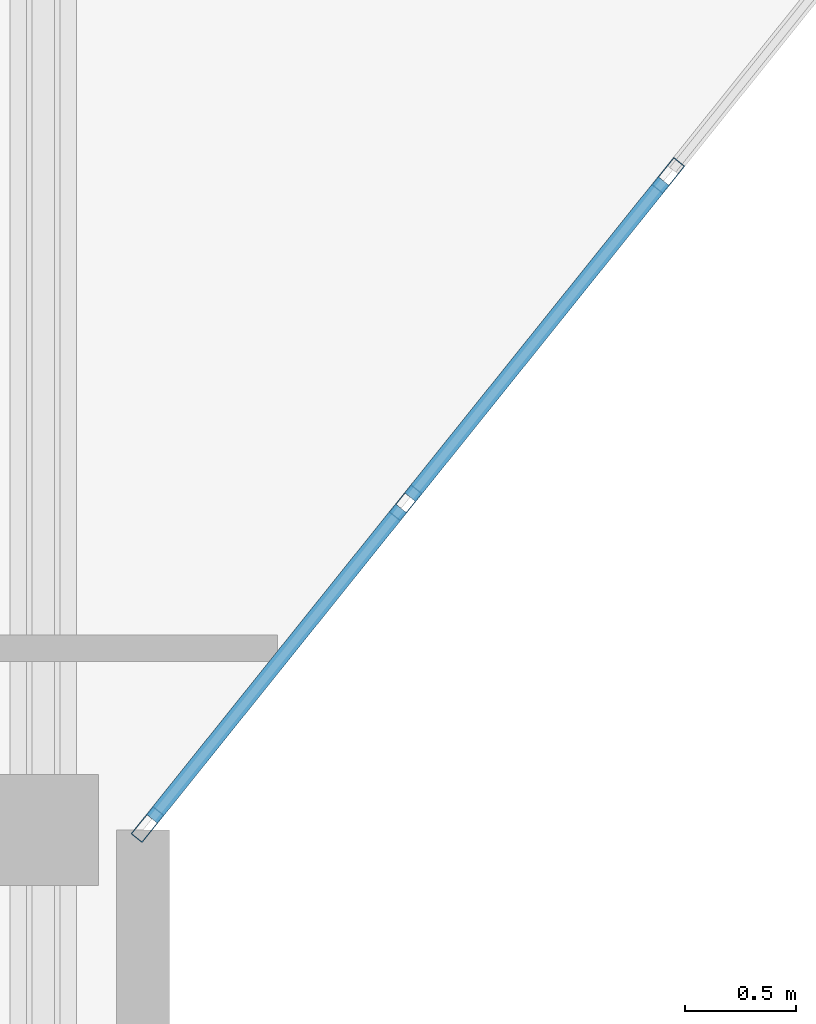
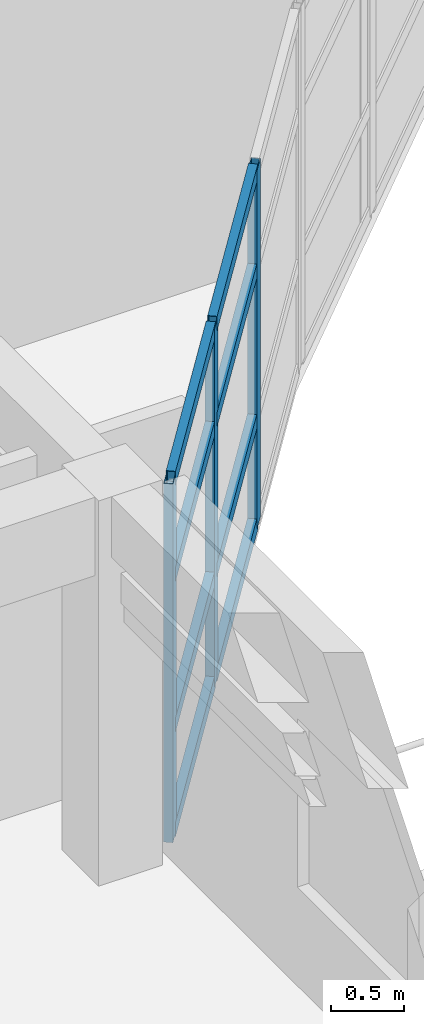
# One storey, part 2 of 30: 11 members, 1 element without a shape of its own.
"""IFC4 building model written with IfcOpenShell, lengths in metres."""

import ifcopenshell
import ifcopenshell.guid

model = None  # the IFC model being written
_history = None  # IfcOwnerHistory: only IFC2X3 demands one
_inside = {}  # id of a spatial element -> (the spatial element, [elements in it])
_under = {}  # id of a project, library or spatial element -> (it, [spatial elements below it])
_declared = {}  # id of a project -> (the project, [libraries it declares])
_typed = {}  # id of a type object -> (the type object, [elements of that type])
_made_of = {}  # id of a material, layer set ... -> (it, [elements and type objects made of it])


def new_model(schema):
    """Start an empty IFC model of exactly this schema.

    Asked for "IFC4X3", IfcOpenShell would pick the latest addendum, in which some entities
    have other attributes; the version numbers below select the first issue.
    IFC2X3 requires an IfcOwnerHistory on every rooted entity: one is made here for all.
    """
    global model, _history
    if schema == "IFC4X3":
        model = ifcopenshell.file(schema_version=(4, 3, 0, 0))
    else:
        model = ifcopenshell.file(schema=schema)
    _inside.clear()
    _under.clear()
    _declared.clear()
    _typed.clear()
    _made_of.clear()
    _history = None
    if model.schema == "IFC2X3":
        org = make("IfcOrganization", Name="unknown")
        user = make(
            "IfcPersonAndOrganization",
            ThePerson=make("IfcPerson", FamilyName="unknown"),
            TheOrganization=org,
        )
        app = make(
            "IfcApplication",
            ApplicationDeveloper=org,
            Version="unknown",
            ApplicationFullName="unknown",
            ApplicationIdentifier="unknown",
        )
        _history = make(
            "IfcOwnerHistory",
            OwningUser=user,
            OwningApplication=app,
            ChangeAction="ADDED",
            CreationDate=0,
        )
    return model


def make(cls, **values):
    """One entity of the class cls with the attributes given. An attribute that is None is left unset."""
    return model.create_entity(
        cls, **{name: value for name, value in values.items() if value is not None}
    )


def rooted(cls, **values):
    """An entity with a GlobalId (a new one), such as an element, a storey or a relation."""
    return make(cls, GlobalId=ifcopenshell.guid.new(), OwnerHistory=_history, **values)


def si_unit(unit_type, name, prefix=None):
    """IfcSIUnit, for example si_unit("LENGTHUNIT", "METRE", prefix="MILLI")."""
    return make("IfcSIUnit", UnitType=unit_type, Prefix=prefix, Name=name)


def assignment(units):
    """IfcUnitAssignment: the units of a project."""
    return None if units is None else make("IfcUnitAssignment", Units=units)


def point(xyz):
    """IfcCartesianPoint."""
    return None if xyz is None else make("IfcCartesianPoint", Coordinates=xyz)


def direction(xyz):
    """IfcDirection."""
    return None if xyz is None else make("IfcDirection", DirectionRatios=xyz)


def frame(location, z_axis=None, x_axis=None):
    """IfcAxis2Placement3D, a coordinate frame: its origin and axes. An axis left out is left unset."""
    return make(
        "IfcAxis2Placement3D",
        Location=point(location),
        Axis=direction(z_axis),
        RefDirection=direction(x_axis),
    )


def frame_2d(location, x_axis=None):
    """IfcAxis2Placement2D, a coordinate frame in the plane: its origin and x axis."""
    return make(
        "IfcAxis2Placement2D", Location=point(location), RefDirection=direction(x_axis)
    )


def origin():
    """The frame at (0, 0, 0) with its axes left unset."""
    return frame((0.0, 0.0, 0.0))


def origin_2d():
    """The frame at (0, 0) in the plane with its x axis left unset."""
    return frame_2d((0.0, 0.0))


def place(relative_to, where):
    """IfcLocalPlacement: puts the frame where relative to a parent placement (None: the world)."""
    return make(
        "IfcLocalPlacement", PlacementRelTo=relative_to, RelativePlacement=where
    )


def context(
    kind, dimensions, precision=None, world=None, true_north=None, identifier=None
):
    """IfcGeometricRepresentationContext, for example the 3D "Model" context."""
    return make(
        "IfcGeometricRepresentationContext",
        ContextIdentifier=identifier,
        ContextType=kind,
        CoordinateSpaceDimension=dimensions,
        Precision=precision,
        WorldCoordinateSystem=world,
        TrueNorth=true_north,
    )


def subcontext(parent, identifier, kind, view, scale=None):
    """IfcGeometricRepresentationSubContext, for example "Body" below "Model"."""
    return make(
        "IfcGeometricRepresentationSubContext",
        ContextIdentifier=identifier,
        ContextType=kind,
        ParentContext=parent,
        TargetScale=scale,
        TargetView=view,
    )


def project(units=None, contexts=None):
    """IfcProject with its units and contexts."""
    return rooted(
        "IfcProject",
        Name="project",
        RepresentationContexts=contexts,
        UnitsInContext=assignment(units),
    )


def spatial(cls, under=None, at=None, **own):
    """A site, building, storey or space (cls), placed at a placement, below another one or the project."""
    s = rooted(cls, ObjectPlacement=at, **own)
    if under is not None:
        _under.setdefault(under.id(), (under, []))[1].append(s)
    return s


def profile(cls, at=None, kind="AREA", **sizes):
    """A parametric profile (cls). Its sizes go by their IFC names, for example OverallWidth=200.0."""
    return make(cls, ProfileType=kind, Position=at, **sizes)


def hollow_rectangle(**sizes):
    """IfcRectangleHollowProfileDef."""
    return profile("IfcRectangleHollowProfileDef", **sizes)


def extrude(swept, where, along, depth):
    """IfcExtrudedAreaSolid: the profile swept, set in the frame where, extruded along a direction by depth."""
    return make(
        "IfcExtrudedAreaSolid",
        SweptArea=swept,
        Position=where,
        ExtrudedDirection=direction(along),
        Depth=depth,
    )


def shape(context_of_items, identifier, shape_type, items):
    """IfcShapeRepresentation: the items that make up one representation, for example the "Body"."""
    return make(
        "IfcShapeRepresentation",
        ContextOfItems=context_of_items,
        RepresentationIdentifier=identifier,
        RepresentationType=shape_type,
        Items=items,
    )


def material(Name=None, Category=None):
    """IfcMaterial."""
    return make("IfcMaterial", Name=Name, Category=Category)


def layer(
    of_material, thickness, ventilated=None, Name=None, Category=None, Priority=None
):
    """IfcMaterialLayer: one layer of a wall or slab, of a material (None: an air gap)."""
    return make(
        "IfcMaterialLayer",
        Material=of_material,
        LayerThickness=thickness,
        IsVentilated=ventilated,
        Name=Name,
        Category=Category,
        Priority=Priority,
    )


def layer_set(layers, Name=None):
    """IfcMaterialLayerSet."""
    return make("IfcMaterialLayerSet", MaterialLayers=layers, LayerSetName=Name)


def material_profile(
    of_material, cross_section, Name=None, Category=None, Priority=None
):
    """IfcMaterialProfile: a cross section and its material."""
    return make(
        "IfcMaterialProfile",
        Name=Name,
        Material=of_material,
        Profile=cross_section,
        Priority=Priority,
        Category=Category,
    )


def profile_set(profiles, Name=None, composite=None):
    """IfcMaterialProfileSet."""
    return make(
        "IfcMaterialProfileSet",
        Name=Name,
        MaterialProfiles=profiles,
        CompositeProfile=composite,
    )


def made_of(thing, what):
    """Note that an element or type object is made of a material, layer set ...; save() writes the relation."""
    if what is not None:
        _made_of.setdefault(what.id(), (what, []))[1].append(thing)
    return thing


def type_object(cls, material=None, **own):
    """A type object (cls), such as IfcWallType, which elements share."""
    return made_of(rooted(cls, **own), material)


def element(
    cls,
    number,
    at=None,
    inside=None,
    cuts=None,
    type_object=None,
    material=None,
    context=None,
    identifier="Body",
    shape_type=None,
    held_by="IfcProductDefinitionShape",
    body=None,
    shapes=None,
    **own,
):
    """One element of the class cls, such as IfcWall. Its Tag is "e" and its number.

    at: its placement. inside: the storey or other place that contains it. cuts: it is an
    opening in that element (IfcRelVoidsElement). A single representation is given by context,
    identifier, shape_type and body (its items); several are given by shapes. held_by: the class
    of the entity that holds the representations. save() writes the other relations.
    """
    e = rooted(cls, Tag="e%d" % number, ObjectPlacement=at, **own)
    if body is not None:
        shapes = [shape(context, identifier, shape_type, body)]
    if shapes is not None:
        e.Representation = make(held_by, Representations=shapes)
    if inside is not None:
        _inside.setdefault(inside.id(), (inside, []))[1].append(e)
    if cuts is not None:
        rooted(
            "IfcRelVoidsElement", RelatingBuildingElement=cuts, RelatedOpeningElement=e
        )
    if type_object is not None:
        _typed.setdefault(type_object.id(), (type_object, []))[1].append(e)
    return made_of(e, material)


def aggregate(whole, parts):
    """IfcRelAggregates: a whole, such as a stair, and the parts it consists of."""
    return rooted("IfcRelAggregates", RelatingObject=whole, RelatedObjects=parts)


def save(model, path):
    """Write the relations noted so far, then the file.

    IfcRelAggregates (storeys below a building ...), IfcRelContainedInSpatialStructure (elements
    in a storey), IfcRelDefinesByType, IfcRelAssociatesMaterial and IfcRelDeclares: one each for
    every whole, place, type object, material and project.
    """
    for whole, parts in _under.values():
        aggregate(whole, parts)
    for where, things in _inside.values():
        rooted(
            "IfcRelContainedInSpatialStructure",
            RelatedElements=things,
            RelatingStructure=where,
        )
    for kind, things in _typed.values():
        rooted("IfcRelDefinesByType", RelatedObjects=things, RelatingType=kind)
    for what, things in _made_of.values():
        rooted("IfcRelAssociatesMaterial", RelatedObjects=things, RelatingMaterial=what)
    for by, libraries in _declared.values():
        rooted("IfcRelDeclares", RelatingContext=by, RelatedDefinitions=libraries)
    model.write(path)


model = new_model("IFC4")

# Units and contexts
model_context = context("Model", 3, precision=1e-05, world=origin(), true_north=direction((0.0, 1.0)))
body_context = subcontext(model_context, "Body", "Model", "MODEL_VIEW")
ifc_project = project(units=[si_unit("LENGTHUNIT", "METRE"), si_unit("AREAUNIT", "SQUARE_METRE"), si_unit("VOLUMEUNIT", "CUBIC_METRE"), si_unit("PLANEANGLEUNIT", "RADIAN"), si_unit("MASSUNIT", "GRAM", prefix="KILO")], contexts=[model_context])

# Site, building, storey
site_placement = place(None, origin())
site = spatial("IfcSite", under=ifc_project, at=site_placement, CompositionType="ELEMENT")
building_placement = place(site_placement, origin())
building = spatial("IfcBuilding", under=site, at=building_placement, Name="Keldmere Railside Commons", CompositionType="ELEMENT")
storey_placement = place(building_placement, frame((0.0, 0.0, 36.159912109375)))
storey = spatial("IfcBuildingStorey", under=building, at=storey_placement, Name="L11", CompositionType="ELEMENT", Elevation=36.159912109375)

# Curtain wall, members
ifc_material = material(Name="Thermally Broken Aluminium", Category="aluminium")
ifc_layer = layer(ifc_material, 0.159912109375, Name="Court Chord Wintergarden CW 4800x2850")
ifc_layer_set = layer_set([ifc_layer], Name="Thermally Broken Aluminium")
curtain_wall_type = type_object("IfcCurtainWallType", Name="Court Chord Wintergarden CW 4800x2850", PredefinedType="NOTDEFINED", material=ifc_layer_set)
curtain_wall_placement = place(storey_placement, origin())
curtain_wall = element("IfcCurtainWall", 1, at=curtain_wall_placement, inside=storey, type_object=curtain_wall_type, Name="CW-12 CW-L11-151", PredefinedType="NOTDEFINED")
ifc_material_profile_1 = material_profile(ifc_material, hollow_rectangle(XDim=0.06494140625, YDim=0.159912109375, WallThickness=0.00390625, at=origin_2d()), Name="ALU-MULL-65x160")
ifc_profile_set_1 = profile_set([ifc_material_profile_1], Name="Thermally Broken Aluminium")
member_type_1 = type_object("IfcMemberType", Name="Unitised Curtain Wall Mullion 65x160", PredefinedType="MULLION", material=ifc_profile_set_1)
member_1_placement = place(storey_placement, frame((122.369384765625, 90.953369140625, 0.0), z_axis=(0.0, 0.0, 1.0), x_axis=(0.780009172323, -0.625768080915, 0.0)))
member_1 = element("IfcMember", 2, at=member_1_placement, type_object=member_type_1, Name="CW-12 mullion 2", PredefinedType="MULLION", context=body_context, shape_type="SweptSolid", body=[
    extrude(hollow_rectangle(XDim=0.06494140625, YDim=0.159912109375, WallThickness=0.00390625, at=origin_2d()), origin(), (0.0, 0.0, 1.0), 2.97998046875),
])
member_2_placement = place(storey_placement, frame((121.1845703125, 89.4765625, 0.0), z_axis=(0.0, 0.0, 1.0), x_axis=(0.780009172323, -0.625768080915, 0.0)))
member_2 = element("IfcMember", 3, at=member_2_placement, type_object=member_type_1, Name="CW-12 mullion 3", PredefinedType="MULLION", context=body_context, shape_type="SweptSolid", body=[
    extrude(hollow_rectangle(XDim=0.06494140625, YDim=0.159912109375, WallThickness=0.00390625, at=origin_2d()), origin(), (0.0, 0.0, 1.0), 2.97998046875),
])
member_3_placement = place(storey_placement, frame((120.020263671875, 88.025390625, 0.0), z_axis=(0.0, 0.0, 1.0), x_axis=(0.780009172323, -0.625768080915, 0.0)))
member_3 = element("IfcMember", 4, at=member_3_placement, type_object=member_type_1, Name="CW-12 mullion 4", PredefinedType="MULLION", context=body_context, shape_type="SweptSolid", body=[
    extrude(hollow_rectangle(XDim=0.06494140625, YDim=0.159912109375, WallThickness=0.00390625, at=origin_2d()), origin(), (0.0, 0.0, 1.0), 2.97998046875),
])
ifc_material_profile_2 = material_profile(ifc_material, hollow_rectangle(XDim=0.06494140625, YDim=0.1201171875, WallThickness=0.00390625, at=origin_2d()), Name="ALU-TRAN-65x120")
ifc_profile_set_2 = profile_set([ifc_material_profile_2], Name="Thermally Broken Aluminium")
member_type_2 = type_object("IfcMemberType", Name="Unitised Curtain Wall Transom 65x120", PredefinedType="USERDEFINED", material=ifc_profile_set_2)
member_4_placement = place(storey_placement, frame((122.348876953125, 90.927978515625, 0.032470703125), z_axis=(-0.625688033635, -0.78007338409, 0.0), x_axis=(0.78007338409, -0.625688033635, 0.0)))
member_4 = element("IfcMember", 5, at=member_4_placement, type_object=member_type_2, Name="CW-12 transom 2.1", ObjectType="TRANSOM", PredefinedType="USERDEFINED", context=body_context, shape_type="SweptSolid", body=[
    extrude(hollow_rectangle(XDim=0.06494140625, YDim=0.1201171875, WallThickness=0.00390625, at=origin_2d()), origin(), (0.0, 0.0, 1.0), 1.828125),
])
member_5_placement = place(storey_placement, frame((122.348876953125, 90.927978515625, 0.900146484375), z_axis=(-0.625688033635, -0.78007338409, 0.0), x_axis=(0.78007338409, -0.625688033635, 0.0)))
member_5 = element("IfcMember", 6, at=member_5_placement, type_object=member_type_2, Name="CW-12 transom 2.2", ObjectType="TRANSOM", PredefinedType="USERDEFINED", context=body_context, shape_type="SweptSolid", body=[
    extrude(hollow_rectangle(XDim=0.06494140625, YDim=0.1201171875, WallThickness=0.00390625, at=origin_2d()), origin(), (0.0, 0.0, 1.0), 1.828125),
])
member_6_placement = place(storey_placement, frame((122.348876953125, 90.927978515625, 2.150146484375), z_axis=(-0.625688033635, -0.78007338409, 0.0), x_axis=(0.78007338409, -0.625688033635, 0.0)))
member_6 = element("IfcMember", 7, at=member_6_placement, type_object=member_type_2, Name="CW-12 transom 2.3", ObjectType="TRANSOM", PredefinedType="USERDEFINED", context=body_context, shape_type="SweptSolid", body=[
    extrude(hollow_rectangle(XDim=0.06494140625, YDim=0.1201171875, WallThickness=0.00390625, at=origin_2d()), origin(), (0.0, 0.0, 1.0), 1.828125),
])
member_7_placement = place(storey_placement, frame((122.348876953125, 90.927978515625, 2.947509765625), z_axis=(-0.625688033635, -0.78007338409, 0.0), x_axis=(0.78007338409, -0.625688033635, 0.0)))
member_7 = element("IfcMember", 8, at=member_7_placement, type_object=member_type_2, Name="CW-12 transom 2.4", ObjectType="TRANSOM", PredefinedType="USERDEFINED", context=body_context, shape_type="SweptSolid", body=[
    extrude(hollow_rectangle(XDim=0.06494140625, YDim=0.1201171875, WallThickness=0.00390625, at=origin_2d()), origin(), (0.0, 0.0, 1.0), 1.828125),
])
member_8_placement = place(storey_placement, frame((121.164306640625, 89.451416015625, 0.032470703125), z_axis=(-0.625722553313, -0.780045694992, 0.0), x_axis=(0.780045694992, -0.625722553313, 0.0)))
member_8 = element("IfcMember", 9, at=member_8_placement, type_object=member_type_2, Name="CW-12 transom 3.1", ObjectType="TRANSOM", PredefinedType="USERDEFINED", context=body_context, shape_type="SweptSolid", body=[
    extrude(hollow_rectangle(XDim=0.06494140625, YDim=0.1201171875, WallThickness=0.00390625, at=origin_2d()), origin(), (0.0, 0.0, 1.0), 1.795654296875),
])
member_9_placement = place(storey_placement, frame((121.164306640625, 89.451416015625, 0.900146484375), z_axis=(-0.625722553313, -0.780045694992, 0.0), x_axis=(0.780045694992, -0.625722553313, 0.0)))
member_9 = element("IfcMember", 10, at=member_9_placement, type_object=member_type_2, Name="CW-12 transom 3.2", ObjectType="TRANSOM", PredefinedType="USERDEFINED", context=body_context, shape_type="SweptSolid", body=[
    extrude(hollow_rectangle(XDim=0.06494140625, YDim=0.1201171875, WallThickness=0.00390625, at=origin_2d()), origin(), (0.0, 0.0, 1.0), 1.795654296875),
])
member_10_placement = place(storey_placement, frame((121.164306640625, 89.451416015625, 2.150146484375), z_axis=(-0.625722553313, -0.780045694992, 0.0), x_axis=(0.780045694992, -0.625722553313, 0.0)))
member_10 = element("IfcMember", 11, at=member_10_placement, type_object=member_type_2, Name="CW-12 transom 3.3", ObjectType="TRANSOM", PredefinedType="USERDEFINED", context=body_context, shape_type="SweptSolid", body=[
    extrude(hollow_rectangle(XDim=0.06494140625, YDim=0.1201171875, WallThickness=0.00390625, at=origin_2d()), origin(), (0.0, 0.0, 1.0), 1.795654296875),
])
member_11_placement = place(storey_placement, frame((121.164306640625, 89.451416015625, 2.947509765625), z_axis=(-0.625722553313, -0.780045694992, 0.0), x_axis=(0.780045694992, -0.625722553313, 0.0)))
member_11 = element("IfcMember", 12, at=member_11_placement, type_object=member_type_2, Name="CW-12 transom 3.4", ObjectType="TRANSOM", PredefinedType="USERDEFINED", context=body_context, shape_type="SweptSolid", body=[
    extrude(hollow_rectangle(XDim=0.06494140625, YDim=0.1201171875, WallThickness=0.00390625, at=origin_2d()), origin(), (0.0, 0.0, 1.0), 1.795654296875),
])
aggregate(curtain_wall, [member_1, member_2, member_3, member_4, member_5, member_6, member_7, member_8, member_9, member_10, member_11])

save(model, "model.ifc")
